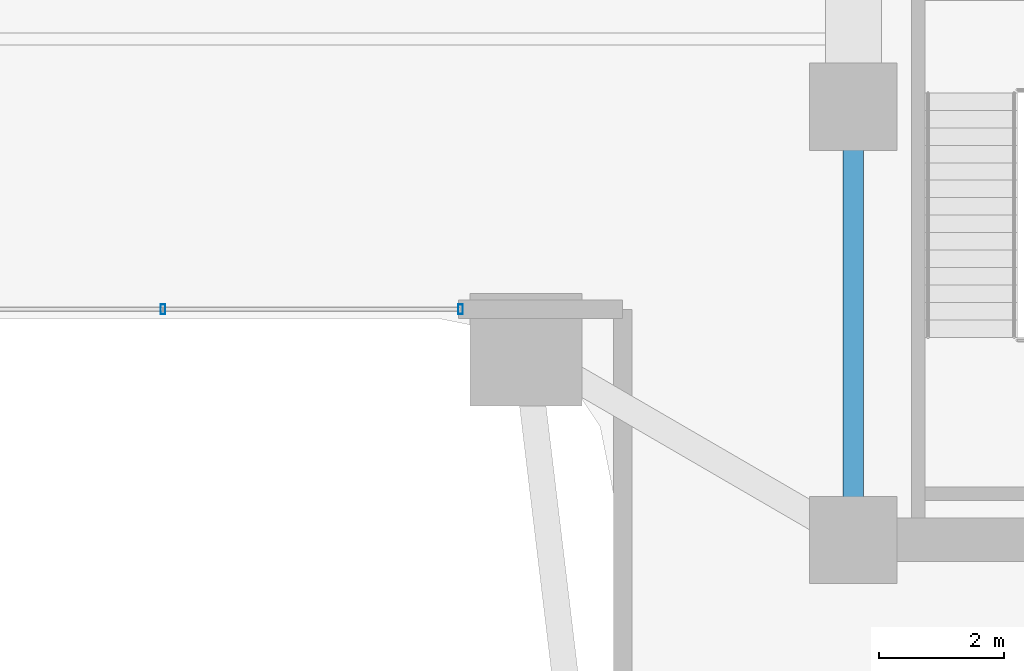
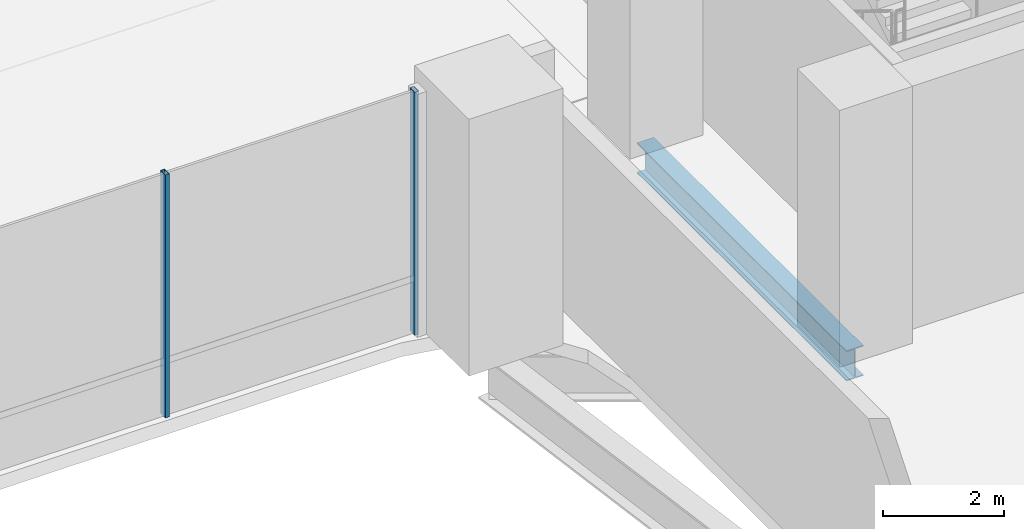
# One storey, part 10 of 39: 2 members, 1 beam, 1 element without a shape of its own.
"""IFC4 building model written with IfcOpenShell, lengths in metres."""

from ifc_helpers import new_model, si_unit, direction, frame, origin, origin_2d, place, context, subcontext, project, spatial, hollow_rectangle, i_section, extrude, source, transform, mapped, material, material_profile, profile_set, type_object, element, aggregate, save


model = new_model("IFC4")

# Units and contexts
model_context = context("Model", 3, precision=1e-05, world=origin(), true_north=direction((0.0, 1.0)))
body_context = subcontext(model_context, "Body", "Model", "MODEL_VIEW")
ifc_project = project(units=[si_unit("LENGTHUNIT", "METRE"), si_unit("AREAUNIT", "SQUARE_METRE"), si_unit("VOLUMEUNIT", "CUBIC_METRE"), si_unit("PLANEANGLEUNIT", "RADIAN"), si_unit("MASSUNIT", "GRAM", prefix="KILO")], contexts=[model_context])

# Site, building, storey
site_placement = place(None, origin())
site = spatial("IfcSite", under=ifc_project, at=site_placement, CompositionType="ELEMENT")
building_placement = place(site_placement, origin())
building = spatial("IfcBuilding", under=site, at=building_placement, Name="Valdorenza Pilgrim Sanctuary Tower", CompositionType="ELEMENT")
storey_placement = place(building_placement, frame((0.0, 0.0, 5.199951171875)))
storey = spatial("IfcBuildingStorey", under=building, at=storey_placement, Name="L01", CompositionType="ELEMENT", Elevation=5.199951171875)

# Beam
ifc_material_1 = material(Name="Steel ASTM A992 Grade 50", Category="steel")
ifc_material_profile_1 = material_profile(ifc_material_1, i_section(OverallWidth=0.323974609375, OverallDepth=0.611083984375, WebThickness=0.0126953125, FlangeThickness=0.01904296875, at=origin_2d()), Name="W24X104")
ifc_profile_set_1 = profile_set([ifc_material_profile_1], Name="Steel ASTM A992 Grade 50")
beam_type = type_object("IfcBeamType", Name="STR-BM-GRD-W24B", PredefinedType="BEAM", material=ifc_profile_set_1)
shared_shape_1 = source(origin(), body_context, "Body", "SweptSolid", [
    extrude(i_section(OverallWidth=0.323974609375, OverallDepth=0.611083984375, WebThickness=0.0126953125, FlangeThickness=0.01904296875, at=origin_2d()), origin(), (0.0, 0.0, 1.0), 6.949951171875),
])
beam_placement = place(storey_placement, frame((15.85009765625, -9.550048828125, -0.58544921875), z_axis=(0.0, 1.0, 0.0), x_axis=(-1.0, 0.0, 0.0)))
element("IfcBeam", 1, at=beam_placement, inside=storey, type_object=beam_type, Name="L01 Core Tie Girder CB-W-S1M0", PredefinedType="BEAM", context=body_context, shape_type="MappedRepresentation", body=[
    mapped(shared_shape_1, transform((0.0, 0.0, 0.0), x_axis=(1.0, 0.0, 0.0), y_axis=(0.0, 1.0, 0.0), z_axis=(0.0, 0.0, 1.0), scale=1.0)),
])

# Curtain wall, members
ifc_material_2 = material(Name="Curtain-wall IGU glazing", Category="glass")
curtain_wall_type = type_object("IfcCurtainWallType", Name="CW-SYS-01", PredefinedType="NOTDEFINED", material=ifc_material_2)
curtain_wall_placement = place(storey_placement, origin())
curtain_wall = element("IfcCurtainWall", 2, at=curtain_wall_placement, inside=storey, type_object=curtain_wall_type, Name="L01 Curtain Wall CW-POD-L01-ARCH-BACK", PredefinedType="NOTDEFINED")
ifc_material_3 = material(Name="Anodised aluminium AW-6060", Category="aluminium")
ifc_material_profile_2 = material_profile(ifc_material_3, hollow_rectangle(XDim=0.074951171875, YDim=0.159912109375, WallThickness=0.00390625, at=origin_2d()), Name="ALU-M 160x75x4")
ifc_profile_set_2 = profile_set([ifc_material_profile_2], Name="Anodised aluminium AW-6060")
member_type = type_object("IfcMemberType", Name="CW-MUL-01", PredefinedType="MULLION", material=ifc_profile_set_2)
shared_shape_2 = source(origin(), body_context, "Body", "SweptSolid", [
    extrude(hollow_rectangle(XDim=0.074951171875, YDim=0.159912109375, WallThickness=0.00390625, at=origin_2d()), origin(), (0.0, 0.0, 1.0), 4.920166015625),
])
member_1_placement = place(storey_placement, frame((4.77490234375, -5.85009765625, 0.0), z_axis=(0.0, 0.0, 1.0), x_axis=(1.0, 0.0, 0.0)))
member_1 = element("IfcMember", 3, at=member_1_placement, type_object=member_type, Name="CW-POD-L01-ARCH-BACK Mullion 4", PredefinedType="MULLION", context=body_context, shape_type="MappedRepresentation", body=[
    mapped(shared_shape_2, transform((0.0, 0.0, 0.0), x_axis=(1.0, 0.0, 0.0), y_axis=(0.0, 1.0, 0.0), z_axis=(0.0, 0.0, 1.0), scale=1.0)),
])
member_2_placement = place(storey_placement, frame((9.550048828125, -5.85009765625, 0.0), z_axis=(0.0, 0.0, 1.0), x_axis=(1.0, 0.0, 0.0)))
member_2 = element("IfcMember", 4, at=member_2_placement, type_object=member_type, Name="CW-POD-L01-ARCH-BACK Mullion 5", PredefinedType="MULLION", context=body_context, shape_type="MappedRepresentation", body=[
    mapped(shared_shape_2, transform((0.0, 0.0, 0.0), x_axis=(1.0, 0.0, 0.0), y_axis=(0.0, 1.0, 0.0), z_axis=(0.0, 0.0, 1.0), scale=1.0)),
])
aggregate(curtain_wall, [member_1, member_2])

save(model, "model.ifc")
